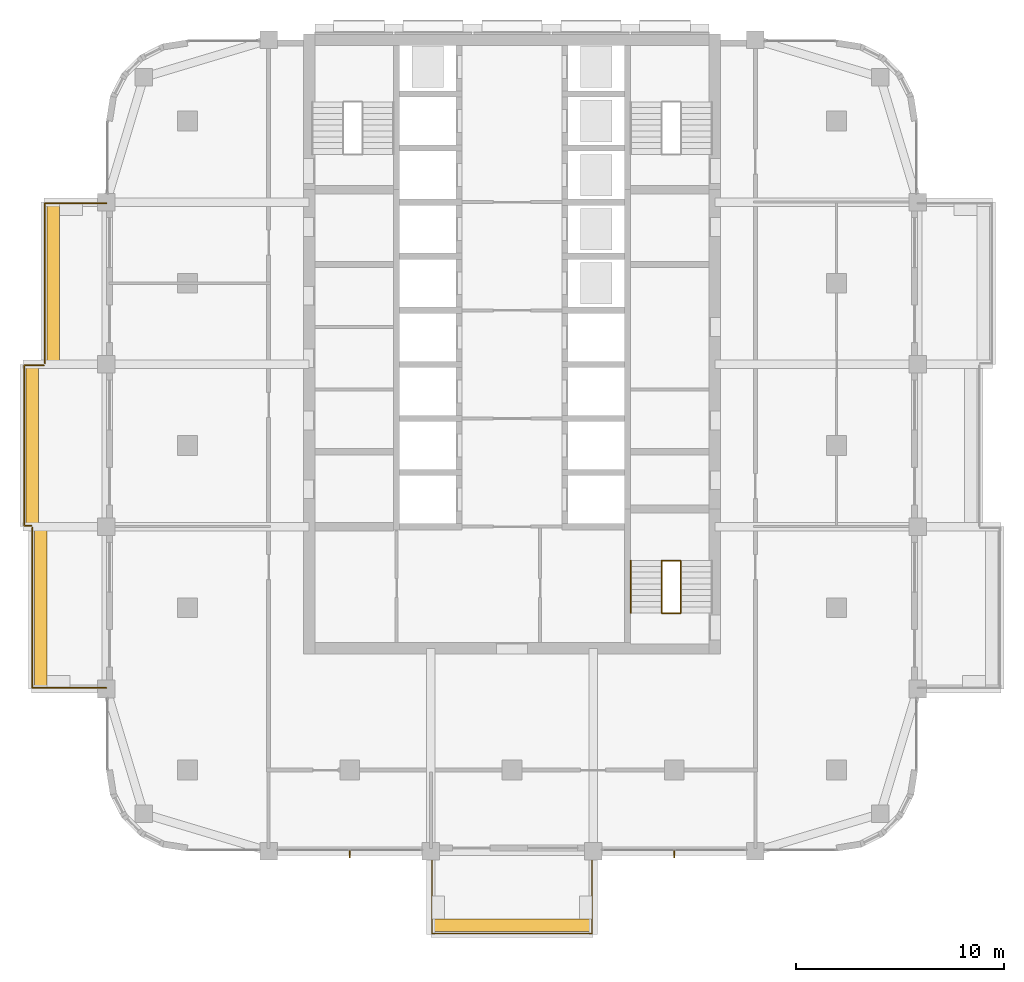
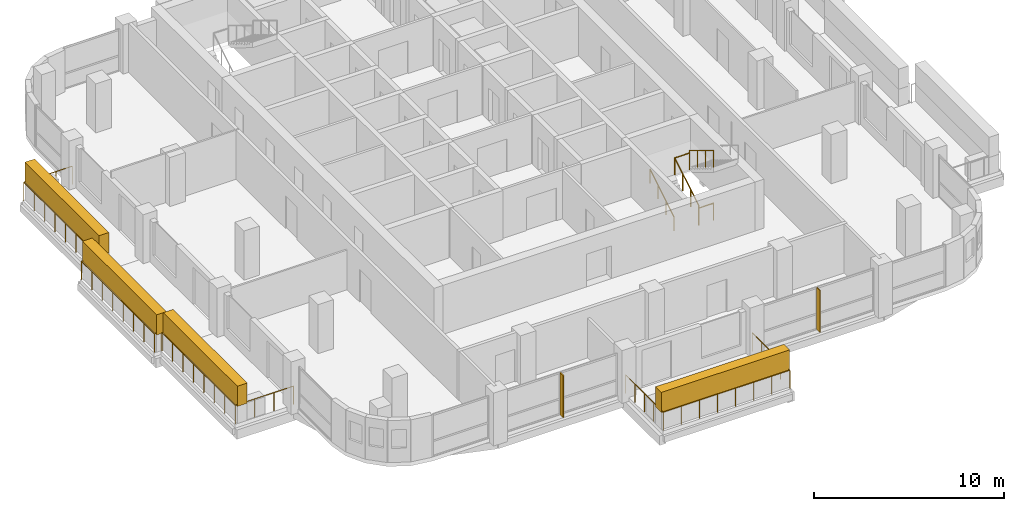
# One storey, part 17 of 19: 9 railings, 4 coverings, 2 shading devices, 1 element without a shape of its own.
"""IFC4 building model written with IfcOpenShell, lengths in metres."""

from ifc_helpers import new_model, si_unit, direction, frame, origin, origin_2d, place, context, subcontext, project, spatial, rectangle, circle, extrude, material, layer, layer_set, type_object, element, aggregate, save


model = new_model("IFC4")

# Units and contexts
model_context = context("Model", 3, precision=1e-05, world=origin(), true_north=direction((0.0, 1.0)))
body_context = subcontext(model_context, "Body", "Model", "MODEL_VIEW")
ifc_project = project(units=[si_unit("LENGTHUNIT", "METRE"), si_unit("AREAUNIT", "SQUARE_METRE"), si_unit("VOLUMEUNIT", "CUBIC_METRE"), si_unit("PLANEANGLEUNIT", "RADIAN"), si_unit("MASSUNIT", "GRAM", prefix="KILO")], contexts=[model_context])

# Site, building, storey
site_placement = place(None, origin())
site = spatial("IfcSite", under=ifc_project, at=site_placement, CompositionType="ELEMENT")
building_placement = place(site_placement, origin())
building = spatial("IfcBuilding", under=site, at=building_placement, Name="Ludao Terraces", CompositionType="ELEMENT")
storey_placement = place(building_placement, frame((0.0, 0.0, 133.89990234375)))
storey = spatial("IfcBuildingStorey", under=building, at=storey_placement, Name="L36", CompositionType="ELEMENT", Elevation=133.89990234375)

# Railings
ifc_material_1 = material(Name="Stainless steel 304", Category="steel")
railing_type_1 = type_object("IfcRailingType", Name="ENV Balcony glass guard 1200", PredefinedType="GUARDRAIL", material=ifc_material_1)
railing_1_placement = place(storey_placement, frame((81.14990234375, 45.5, 0.0)))
element("IfcRailing", 1, at=railing_1_placement, inside=storey, type_object=railing_type_1, Name="Balcony guard L36 S1", PredefinedType="GUARDRAIL", context=body_context, shape_type="SweptSolid", body=[
    extrude(circle(Radius=0.02392578125, at=origin_2d()), frame((0.0, 0.0, 1.17578125), z_axis=(0.0, -1.0, 0.0), x_axis=(1.0, 0.0, 0.0)), (0.0, 0.0, 1.0), 3.949951171875),
    extrude(circle(Radius=0.02392578125, at=origin_2d()), frame((0.0, -3.949951171875, 1.17578125), z_axis=(1.0, 0.0, 0.0), x_axis=(0.0, 1.0, 0.0)), (0.0, 0.0, 1.0), 7.7001953125),
    extrude(circle(Radius=0.02392578125, at=origin_2d()), frame((7.7001953125, -3.949951171875, 1.17578125), z_axis=(0.0, 1.0, 0.0), x_axis=(-1.0, 0.0, 0.0)), (0.0, 0.0, 1.0), 3.949951171875),
    extrude(circle(Radius=0.02099609375, at=origin_2d()), origin(), (0.0, 0.0, 1.0), 1.15185546875),
    extrude(circle(Radius=0.02099609375, at=origin_2d()), frame((0.0, -0.987548828125, 0.0)), (0.0, 0.0, 1.0), 1.15185546875),
    extrude(circle(Radius=0.02099609375, at=origin_2d()), frame((0.0, -1.97509765625, 0.0)), (0.0, 0.0, 1.0), 1.15185546875),
    extrude(circle(Radius=0.02099609375, at=origin_2d()), frame((0.0, -2.96240234375, 0.0)), (0.0, 0.0, 1.0), 1.15185546875),
    extrude(circle(Radius=0.02099609375, at=origin_2d()), frame((0.0, -3.949951171875, 0.0)), (0.0, 0.0, 1.0), 1.15185546875),
    extrude(circle(Radius=0.02099609375, at=origin_2d()), frame((1.10009765625, -3.949951171875, 0.0)), (0.0, 0.0, 1.0), 1.15185546875),
    extrude(circle(Radius=0.02099609375, at=origin_2d()), frame((2.199951171875, -3.949951171875, 0.0)), (0.0, 0.0, 1.0), 1.15185546875),
    extrude(circle(Radius=0.02099609375, at=origin_2d()), frame((3.300048828125, -3.949951171875, 0.0)), (0.0, 0.0, 1.0), 1.15185546875),
    extrude(circle(Radius=0.02099609375, at=origin_2d()), frame((4.400146484375, -3.949951171875, 0.0)), (0.0, 0.0, 1.0), 1.15185546875),
    extrude(circle(Radius=0.02099609375, at=origin_2d()), frame((5.500244140625, -3.949951171875, 0.0)), (0.0, 0.0, 1.0), 1.15185546875),
    extrude(circle(Radius=0.02099609375, at=origin_2d()), frame((6.60009765625, -3.949951171875, 0.0)), (0.0, 0.0, 1.0), 1.15185546875),
    extrude(circle(Radius=0.02099609375, at=origin_2d()), frame((7.7001953125, -3.949951171875, 0.0)), (0.0, 0.0, 1.0), 1.15185546875),
    extrude(circle(Radius=0.02099609375, at=origin_2d()), frame((7.7001953125, -2.96240234375, 0.0)), (0.0, 0.0, 1.0), 1.15185546875),
    extrude(circle(Radius=0.02099609375, at=origin_2d()), frame((7.7001953125, -1.97509765625, 0.0)), (0.0, 0.0, 1.0), 1.15185546875),
    extrude(circle(Radius=0.02099609375, at=origin_2d()), frame((7.7001953125, -0.987548828125, 0.0)), (0.0, 0.0, 1.0), 1.15185546875),
    extrude(circle(Radius=0.02099609375, at=origin_2d()), frame((7.7001953125, 0.0, 0.0)), (0.0, 0.0, 1.0), 1.15185546875),
])
railing_2_placement = place(storey_placement, frame((65.5, 53.35009765625, 0.0)))
element("IfcRailing", 2, at=railing_2_placement, inside=storey, type_object=railing_type_1, Name="Balcony guard L36 W1", PredefinedType="GUARDRAIL", context=body_context, shape_type="SweptSolid", body=[
    extrude(circle(Radius=0.02392578125, at=origin_2d()), frame((0.0, 0.0, 1.17578125), z_axis=(-1.0, 0.0, 0.0), x_axis=(0.0, -1.0, 0.0)), (0.0, 0.0, 1.0), 3.550048828125),
    extrude(circle(Radius=0.02392578125, at=origin_2d()), frame((-3.550048828125, 0.0, 1.17578125), z_axis=(0.0, 1.0, 0.0), x_axis=(-1.0, 0.0, 0.0)), (0.0, 0.0, 1.0), 7.699951171875),
    extrude(circle(Radius=0.02099609375, at=origin_2d()), origin(), (0.0, 0.0, 1.0), 1.15185546875),
    extrude(circle(Radius=0.02099609375, at=origin_2d()), frame((-1.183349609375, 0.0, 0.0)), (0.0, 0.0, 1.0), 1.15185546875),
    extrude(circle(Radius=0.02099609375, at=origin_2d()), frame((-2.36669921875, 0.0, 0.0)), (0.0, 0.0, 1.0), 1.15185546875),
    extrude(circle(Radius=0.02099609375, at=origin_2d()), frame((-3.550048828125, 0.0, 0.0)), (0.0, 0.0, 1.0), 1.15185546875),
    extrude(circle(Radius=0.02099609375, at=origin_2d()), frame((-3.550048828125, 1.10009765625, 0.0)), (0.0, 0.0, 1.0), 1.15185546875),
    extrude(circle(Radius=0.02099609375, at=origin_2d()), frame((-3.550048828125, 2.199951171875, 0.0)), (0.0, 0.0, 1.0), 1.15185546875),
    extrude(circle(Radius=0.02099609375, at=origin_2d()), frame((-3.550048828125, 3.300048828125, 0.0)), (0.0, 0.0, 1.0), 1.15185546875),
    extrude(circle(Radius=0.02099609375, at=origin_2d()), frame((-3.550048828125, 4.39990234375, 0.0)), (0.0, 0.0, 1.0), 1.15185546875),
    extrude(circle(Radius=0.02099609375, at=origin_2d()), frame((-3.550048828125, 5.5, 0.0)), (0.0, 0.0, 1.0), 1.15185546875),
    extrude(circle(Radius=0.02099609375, at=origin_2d()), frame((-3.550048828125, 6.599853515625, 0.0)), (0.0, 0.0, 1.0), 1.15185546875),
    extrude(circle(Radius=0.02099609375, at=origin_2d()), frame((-3.550048828125, 7.699951171875, 0.0)), (0.0, 0.0, 1.0), 1.15185546875),
])
railing_3_placement = place(storey_placement, frame((61.89990234375, 61.14990234375, 0.0)))
element("IfcRailing", 3, at=railing_3_placement, inside=storey, type_object=railing_type_1, Name="Balcony guard L36 W2", PredefinedType="GUARDRAIL", context=body_context, shape_type="SweptSolid", body=[
    extrude(circle(Radius=0.02392578125, at=origin_2d()), frame((0.0, 0.0, 1.17578125), z_axis=(-1.0, 0.0, 0.0), x_axis=(0.0, -1.0, 0.0)), (0.0, 0.0, 1.0), 0.349853515625),
    extrude(circle(Radius=0.02392578125, at=origin_2d()), frame((-0.349853515625, 0.0, 1.17578125), z_axis=(0.0, 1.0, 0.0), x_axis=(-1.0, 0.0, 0.0)), (0.0, 0.0, 1.0), 7.7001953125),
    extrude(circle(Radius=0.02392578125, at=origin_2d()), frame((-0.349853515625, 7.7001953125, 1.17578125), z_axis=(1.0, 0.0, 0.0), x_axis=(0.0, 1.0, 0.0)), (0.0, 0.0, 1.0), 0.949951171875),
    extrude(circle(Radius=0.02099609375, at=origin_2d()), origin(), (0.0, 0.0, 1.0), 1.15185546875),
    extrude(circle(Radius=0.02099609375, at=origin_2d()), frame((-0.349853515625, 0.0, 0.0)), (0.0, 0.0, 1.0), 1.15185546875),
    extrude(circle(Radius=0.02099609375, at=origin_2d()), frame((-0.349853515625, 1.10009765625, 0.0)), (0.0, 0.0, 1.0), 1.15185546875),
    extrude(circle(Radius=0.02099609375, at=origin_2d()), frame((-0.349853515625, 2.199951171875, 0.0)), (0.0, 0.0, 1.0), 1.15185546875),
    extrude(circle(Radius=0.02099609375, at=origin_2d()), frame((-0.349853515625, 3.300048828125, 0.0)), (0.0, 0.0, 1.0), 1.15185546875),
    extrude(circle(Radius=0.02099609375, at=origin_2d()), frame((-0.349853515625, 4.400146484375, 0.0)), (0.0, 0.0, 1.0), 1.15185546875),
    extrude(circle(Radius=0.02099609375, at=origin_2d()), frame((-0.349853515625, 5.500244140625, 0.0)), (0.0, 0.0, 1.0), 1.15185546875),
    extrude(circle(Radius=0.02099609375, at=origin_2d()), frame((-0.349853515625, 6.60009765625, 0.0)), (0.0, 0.0, 1.0), 1.15185546875),
    extrude(circle(Radius=0.02099609375, at=origin_2d()), frame((-0.349853515625, 7.7001953125, 0.0)), (0.0, 0.0, 1.0), 1.15185546875),
    extrude(circle(Radius=0.02099609375, at=origin_2d()), frame((0.60009765625, 7.7001953125, 0.0)), (0.0, 0.0, 1.0), 1.15185546875),
])
railing_4_placement = place(storey_placement, frame((62.550048828125, 68.949951171875, 0.0)))
element("IfcRailing", 4, at=railing_4_placement, inside=storey, type_object=railing_type_1, Name="Balcony guard L36 W3", PredefinedType="GUARDRAIL", context=body_context, shape_type="SweptSolid", body=[
    extrude(circle(Radius=0.02392578125, at=origin_2d()), frame((0.0, 0.0, 1.17578125), z_axis=(0.0, 1.0, 0.0), x_axis=(-1.0, 0.0, 0.0)), (0.0, 0.0, 1.0), 7.699951171875),
    extrude(circle(Radius=0.02392578125, at=origin_2d()), frame((0.0, 7.699951171875, 1.17578125), z_axis=(1.0, 0.0, 0.0), x_axis=(0.0, 1.0, 0.0)), (0.0, 0.0, 1.0), 2.949951171875),
    extrude(circle(Radius=0.02099609375, at=origin_2d()), origin(), (0.0, 0.0, 1.0), 1.15185546875),
    extrude(circle(Radius=0.02099609375, at=origin_2d()), frame((0.0, 1.10009765625, 0.0)), (0.0, 0.0, 1.0), 1.15185546875),
    extrude(circle(Radius=0.02099609375, at=origin_2d()), frame((0.0, 2.199951171875, 0.0)), (0.0, 0.0, 1.0), 1.15185546875),
    extrude(circle(Radius=0.02099609375, at=origin_2d()), frame((0.0, 3.300048828125, 0.0)), (0.0, 0.0, 1.0), 1.15185546875),
    extrude(circle(Radius=0.02099609375, at=origin_2d()), frame((0.0, 4.39990234375, 0.0)), (0.0, 0.0, 1.0), 1.15185546875),
    extrude(circle(Radius=0.02099609375, at=origin_2d()), frame((0.0, 5.5, 0.0)), (0.0, 0.0, 1.0), 1.15185546875),
    extrude(circle(Radius=0.02099609375, at=origin_2d()), frame((0.0, 6.599853515625, 0.0)), (0.0, 0.0, 1.0), 1.15185546875),
    extrude(circle(Radius=0.02099609375, at=origin_2d()), frame((0.0, 7.699951171875, 0.0)), (0.0, 0.0, 1.0), 1.15185546875),
    extrude(circle(Radius=0.02099609375, at=origin_2d()), frame((0.9833984375, 7.699951171875, 0.0)), (0.0, 0.0, 1.0), 1.15185546875),
    extrude(circle(Radius=0.02099609375, at=origin_2d()), frame((1.966552734375, 7.699951171875, 0.0)), (0.0, 0.0, 1.0), 1.15185546875),
    extrude(circle(Radius=0.02099609375, at=origin_2d()), frame((2.949951171875, 7.699951171875, 0.0)), (0.0, 0.0, 1.0), 1.15185546875),
])

# Coverings
ifc_material_2 = material(Name="Planting")
ifc_layer_1 = layer(ifc_material_2, 0.60009765625)
ifc_layer_set_1 = layer_set([ifc_layer_1], Name="ENV Planting hedge 600x1300")
covering_type = type_object("IfcCoveringType", Name="ENV Planting hedge 600x1300", PredefinedType="USERDEFINED", material=ifc_layer_set_1)
covering_placement = place(storey_placement, frame((85.0, 41.949951171875, 1.10009765625), z_axis=(0.0, 0.0, 1.0), x_axis=(1.0, 0.0, 0.0)))
element("IfcCovering", 5, at=covering_placement, inside=storey, type_object=covering_type, Name="Planting hedge L36-S1", ObjectType="PLANTING", PredefinedType="USERDEFINED", context=body_context, shape_type="SweptSolid", body=[
    extrude(rectangle(XDim=7.800048828125, YDim=0.60009765625, at=origin_2d()), origin(), (0.0, 0.0, 1.0), 1.300048828125),
])
for number, where, z_axis, x_axis, name in (
    (6, (62.35009765625, 57.199951171875, 1.10009765625), (0.0, 0.0, 1.0), (1.0, 0.0, 0.0), "Planting hedge L36-W1"),
    (7, (61.949951171875, 65.0, 1.10009765625), (0.0, 0.0, 1.0), (1.0, 0.0, 0.0), "Planting hedge L36-W2"),
    (8, (62.949951171875, 72.800048828125, 1.10009765625), (0.0, 0.0, 1.0), (1.0, 0.0, 0.0), "Planting hedge L36-W3"),
):
    element("IfcCovering", number, at=place(storey_placement, frame(where, z_axis=z_axis, x_axis=x_axis)), inside=storey, type_object=covering_type, Name=name, ObjectType="PLANTING", PredefinedType="USERDEFINED", context=body_context, shape_type="SweptSolid", body=[
        extrude(rectangle(XDim=0.60009765625, YDim=7.800048828125, at=origin_2d()), origin(), (0.0, 0.0, 1.0), 1.300048828125),
    ])

# Shading devices
ifc_material_3 = material(Name="Aluminium 6063-T6", Category="aluminium")
ifc_layer_2 = layer(ifc_material_3, 0.050048828125)
ifc_layer_set_2 = layer_set([ifc_layer_2], Name="ENV Sun fin 50x350")
shading_device_type = type_object("IfcShadingDeviceType", Name="ENV Sun fin 50x350", PredefinedType="USERDEFINED", material=ifc_layer_set_2)
for number, where, z_axis, x_axis, name in (
    (9, (77.199951171875, 45.360107421875, 0.0), (0.0, 0.0, 1.0), (1.0, 0.0, 0.0), "FN-CW-L36-S2-1"),
    (10, (92.800048828125, 45.360107421875, 0.0), (0.0, 0.0, 1.0), (1.0, 0.0, 0.0), "FN-CW-L36-S4-1"),
):
    element("IfcShadingDevice", number, at=place(storey_placement, frame(where, z_axis=z_axis, x_axis=x_axis)), inside=storey, type_object=shading_device_type, Name=name, ObjectType="FIN", PredefinedType="USERDEFINED", context=body_context, shape_type="SweptSolid", body=[
        extrude(rectangle(XDim=0.050048828125, YDim=0.35009765625, at=origin_2d()), origin(), (0.0, 0.0, 1.0), 2.699951171875),
    ])

# Stair, railings
ifc_material_4 = material(Name="Concrete C40", Category="concrete")
stair_type = type_object("IfcStairType", Name="INT Stair", PredefinedType="HALF_TURN_STAIR", material=ifc_material_4)
stair_placement = place(storey_placement, origin())
stair = element("IfcStair", 11, at=stair_placement, inside=storey, type_object=stair_type, Name="EXIT STAIR 3", PredefinedType="HALF_TURN_STAIR")
railing_type_2 = type_object("IfcRailingType", Name="INT Stair guard 1100", PredefinedType="GUARDRAIL", material=ifc_material_1)
railing_5_placement = place(storey_placement, frame((92.199951171875, 56.949951171875, 0.170166015625)))
railing_5 = element("IfcRailing", 12, at=railing_5_placement, type_object=railing_type_2, Name="ST-L36-S3-R1G", PredefinedType="GUARDRAIL", context=body_context, shape_type="SweptSolid", body=[
    extrude(circle(Radius=0.02392578125, at=origin_2d()), frame((0.0, 0.0, 1.076171875), z_axis=(0.0, 0.85478489116, 0.518982456201), x_axis=(-1.0, 0.0, 0.0)), (0.0, 0.0, 1.0), 2.9482421875),
    extrude(circle(Radius=0.02099609375, at=origin_2d()), origin(), (0.0, 0.0, 1.0), 1.052001953125),
    extrude(circle(Radius=0.02099609375, at=origin_2d()), frame((0.0, 0.840087890625, 0.510009765625)), (0.0, 0.0, 1.0), 1.052001953125),
    extrude(circle(Radius=0.02099609375, at=origin_2d()), frame((0.0, 1.679931640625, 1.02001953125)), (0.0, 0.0, 1.0), 1.052001953125),
    extrude(circle(Radius=0.02099609375, at=origin_2d()), frame((0.0, 2.52001953125, 1.530029296875)), (0.0, 0.0, 1.0), 1.052001953125),
])
railing_6_placement = place(storey_placement, frame((93.10009765625, 59.469970703125, 1.8701171875)))
railing_6 = element("IfcRailing", 13, at=railing_6_placement, type_object=railing_type_2, Name="ST-L36-S3-R2G", PredefinedType="GUARDRAIL", context=body_context, shape_type="SweptSolid", body=[
    extrude(circle(Radius=0.02392578125, at=origin_2d()), frame((0.0, 0.0, 1.076171875), z_axis=(0.0, -0.85478489116, 0.518982456201), x_axis=(1.0, 0.0, 0.0)), (0.0, 0.0, 1.0), 2.9482421875),
    extrude(circle(Radius=0.02099609375, at=origin_2d()), origin(), (0.0, 0.0, 1.0), 1.052001953125),
    extrude(circle(Radius=0.02099609375, at=origin_2d()), frame((0.0, -0.840087890625, 0.510009765625)), (0.0, 0.0, 1.0), 1.052001953125),
    extrude(circle(Radius=0.02099609375, at=origin_2d()), frame((0.0, -1.679931640625, 1.02001953125)), (0.0, 0.0, 1.0), 1.052001953125),
    extrude(circle(Radius=0.02099609375, at=origin_2d()), frame((0.0, -2.52001953125, 1.530029296875)), (0.0, 0.0, 1.0), 1.052001953125),
])
railing_7_placement = place(storey_placement, frame((92.199951171875, 59.469970703125, 1.7001953125)))
railing_7 = element("IfcRailing", 14, at=railing_7_placement, type_object=railing_type_2, Name="ST-L36-S3-E1G", PredefinedType="GUARDRAIL", context=body_context, shape_type="SweptSolid", body=[
    extrude(circle(Radius=0.02392578125, at=origin_2d()), frame((0.0, 0.0, 1.076171875), z_axis=(1.0, 0.0, 0.0), x_axis=(0.0, 1.0, 0.0)), (0.0, 0.0, 1.0), 0.900146484375),
    extrude(circle(Radius=0.02099609375, at=origin_2d()), origin(), (0.0, 0.0, 1.0), 1.052001953125),
    extrude(circle(Radius=0.02099609375, at=origin_2d()), frame((0.900146484375, 0.0, 0.0)), (0.0, 0.0, 1.0), 1.052001953125),
])
railing_8_placement = place(storey_placement, frame((92.199951171875, 56.949951171875, 0.0)))
railing_8 = element("IfcRailing", 15, at=railing_8_placement, type_object=railing_type_2, Name="ST-L36-S3-E2G", PredefinedType="GUARDRAIL", context=body_context, shape_type="SweptSolid", body=[
    extrude(circle(Radius=0.02392578125, at=origin_2d()), frame((0.0, 0.0, 1.076171875), z_axis=(1.0, 0.0, 0.0), x_axis=(0.0, 1.0, 0.0)), (0.0, 0.0, 1.0), 0.900146484375),
    extrude(circle(Radius=0.02099609375, at=origin_2d()), origin(), (0.0, 0.0, 1.0), 1.052001953125),
    extrude(circle(Radius=0.02099609375, at=origin_2d()), frame((0.900146484375, 0.0, 0.0)), (0.0, 0.0, 1.0), 1.052001953125),
])
railing_type_3 = type_object("IfcRailingType", Name="INT Stair handrail 900", PredefinedType="HANDRAIL", material=ifc_material_1)
railing_9_placement = place(storey_placement, frame((90.699951171875, 56.949951171875, 0.170166015625)))
railing_9 = element("IfcRailing", 16, at=railing_9_placement, type_object=railing_type_3, Name="ST-L36-S3-R1H", PredefinedType="HANDRAIL", context=body_context, shape_type="SweptSolid", body=[
    extrude(circle(Radius=0.02392578125, at=origin_2d()), frame((0.0, 0.0, 0.8759765625), z_axis=(0.0, 0.85478489116, 0.518982456201), x_axis=(-1.0, 0.0, 0.0)), (0.0, 0.0, 1.0), 2.9482421875),
    extrude(circle(Radius=0.02099609375, at=origin_2d()), origin(), (0.0, 0.0, 1.0), 0.851806640625),
    extrude(circle(Radius=0.02099609375, at=origin_2d()), frame((0.0, 0.840087890625, 0.510009765625)), (0.0, 0.0, 1.0), 0.851806640625),
    extrude(circle(Radius=0.02099609375, at=origin_2d()), frame((0.0, 1.679931640625, 1.02001953125)), (0.0, 0.0, 1.0), 0.851806640625),
    extrude(circle(Radius=0.02099609375, at=origin_2d()), frame((0.0, 2.52001953125, 1.530029296875)), (0.0, 0.0, 1.0), 0.851806640625),
])
aggregate(stair, [railing_5, railing_9, railing_6, railing_7, railing_8])

save(model, "model.ifc")
